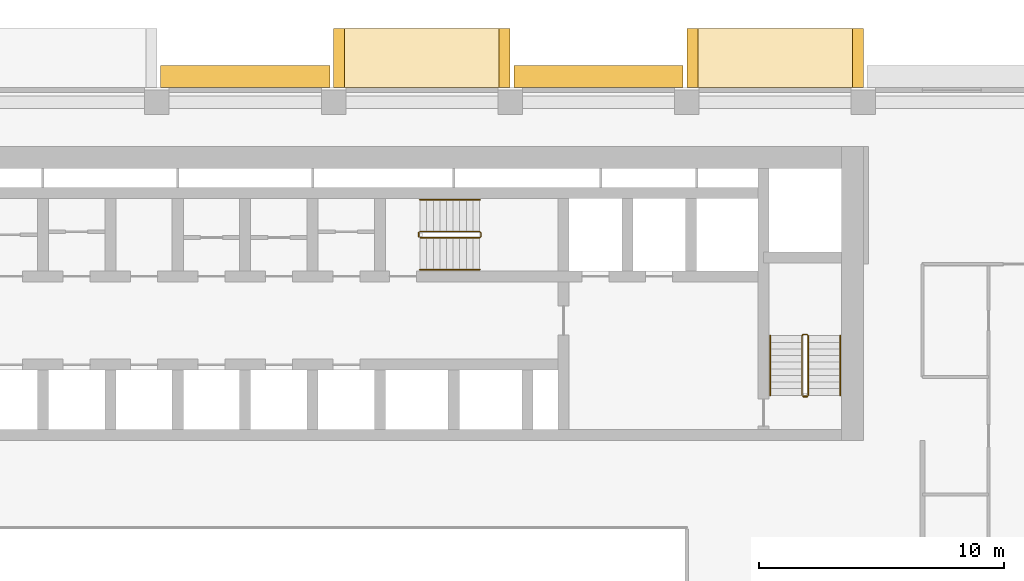
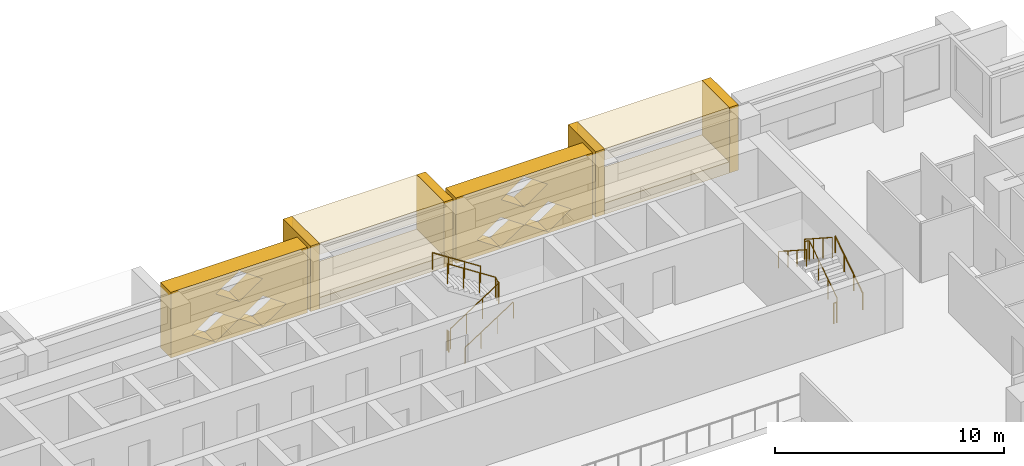
# One storey, part 15 of 16: 10 coverings, 8 railings.
"""IFC4 building model written with IfcOpenShell, lengths in metres."""

from ifc_helpers import new_model, si_unit, direction, frame, origin, origin_2d, place, context, subcontext, project, spatial, polyline, circle, outline, extrude, material, type_object, element, save


model = new_model("IFC4")

# Units and contexts
model_context = context("Model", 3, precision=1e-05, world=origin(), true_north=direction((0.0, 1.0)))
body_context = subcontext(model_context, "Body", "Model", "MODEL_VIEW")
ifc_project = project(units=[si_unit("LENGTHUNIT", "METRE"), si_unit("AREAUNIT", "SQUARE_METRE"), si_unit("VOLUMEUNIT", "CUBIC_METRE"), si_unit("PLANEANGLEUNIT", "RADIAN"), si_unit("MASSUNIT", "GRAM", prefix="KILO")], contexts=[model_context])

# Site, building, storey
site_placement = place(None, origin())
site = spatial("IfcSite", under=ifc_project, at=site_placement, CompositionType="ELEMENT")
building_placement = place(site_placement, origin())
building = spatial("IfcBuilding", under=site, at=building_placement, Name="Saffron Iwan Residences", CompositionType="ELEMENT")
storey_placement = place(building_placement, frame((0.0, 0.0, 83.0)))
storey = spatial("IfcBuildingStorey", under=building, at=storey_placement, Name="L21", CompositionType="ELEMENT", Elevation=83.0)

# Coverings
ifc_material_1 = material(Name="Precast concrete C40/50", Category="concrete")
covering_type_1 = type_object("IfcCoveringType", Name="OUTER SKIN LATTICE SCREEN", PredefinedType="CLADDING", material=ifc_material_1)
for number, where, z_axis, x_axis, name in (
    (1, (64.64990234375, 80.39990234375, -0.320068359375), (0.0, 1.0, 0.0), (-1.0, 0.0, 0.0), "OUTER SKIN lattice screen L21 F5.1"),
    (2, (50.25, 80.39990234375, -0.320068359375), (0.0, 1.0, 0.0), (-1.0, 0.0, 0.0), "OUTER SKIN lattice screen L21 F5.2"),
):
    element("IfcCovering", number, at=place(storey_placement, frame(where, z_axis=z_axis, x_axis=x_axis)), inside=storey, type_object=covering_type_1, Name=name, PredefinedType="CLADDING", context=body_context, shape_type="SweptSolid", body=[
        extrude(outline(polyline([(0.0, 0.0), (6.89990234375, 0.0), (6.89990234375, 3.5), (0.0, 3.5), (0.0, 0.0)]), holes=[polyline([(1.070068359375, 0.875), (2.25, 0.06005859375), (3.429931640625, 0.875), (2.25, 1.68994140625), (1.070068359375, 0.875)]), polyline([(3.469970703125, 0.875), (4.64990234375, 0.06005859375), (5.830078125, 0.875), (4.64990234375, 1.68994140625), (3.469970703125, 0.875)]), polyline([(2.27001953125, 2.625), (3.449951171875, 1.81005859375), (4.6298828125, 2.625), (3.449951171875, 3.43994140625), (2.27001953125, 2.625)])]), origin(), (0.0, 0.0, 1.0), 0.900146484375),
    ])

# Railings
ifc_material_2 = material(Name="Steel S355", Category="steel")
railing_type_1 = type_object("IfcRailingType", Name="Stair guard 1100", PredefinedType="GUARDRAIL", material=ifc_material_2)
railing_1_placement = place(storey_placement, frame((53.925048828125, 74.27490234375, 0.175048828125)))
element("IfcRailing", 3, at=railing_1_placement, inside=storey, type_object=railing_type_1, Name="L21 ST-C stair guard 1", PredefinedType="GUARDRAIL", context=body_context, shape_type="SweptSolid", body=[
    extrude(circle(Radius=0.02392578125, at=origin_2d()), frame((0.0, 0.0, 1.076171875), z_axis=(0.839153699163, 0.0, 0.543894354798), x_axis=(0.0, 1.0, 0.0)), (0.0, 0.0, 1.0), 2.895751953125),
    extrude(circle(Radius=0.02392578125, at=origin_2d()), frame((2.429931640625, 0.0, 2.65087890625), z_axis=(0.707106781187, 0.707106781187, 0.0), x_axis=(-0.707106781187, 0.707106781187, 0.0)), (0.0, 0.0, 1.0), 0.07080078125),
    extrude(circle(Radius=0.02392578125, at=origin_2d()), frame((2.47998046875, 0.050048828125, 2.65087890625), z_axis=(0.0, 1.0, 0.0), x_axis=(-1.0, 0.0, 0.0)), (0.0, 0.0, 1.0), 0.150146484375),
    extrude(circle(Radius=0.02392578125, at=origin_2d()), frame((2.47998046875, 0.2001953125, 2.65087890625), z_axis=(-0.265155923931, 0.263862480399, 0.927399011991), x_axis=(-0.705375805398, -0.708833529934, 0.0)), (0.0, 0.0, 1.0), 0.188720703125),
    extrude(circle(Radius=0.02392578125, at=origin_2d()), frame((2.429931640625, 0.25, 2.826171875), z_axis=(-0.839153699163, 0.0, 0.543894354798), x_axis=(0.0, -1.0, 0.0)), (0.0, 0.0, 1.0), 2.895751953125),
    extrude(circle(Radius=0.02099609375, at=origin_2d()), origin(), (0.0, 0.0, 1.0), 1.052001953125),
    extrude(circle(Radius=0.02099609375, at=origin_2d()), frame((0.81005859375, 0.0, 0.52490234375)), (0.0, 0.0, 1.0), 1.052001953125),
    extrude(circle(Radius=0.02099609375, at=origin_2d()), frame((1.619873046875, 0.0, 1.050048828125)), (0.0, 0.0, 1.0), 1.052001953125),
    extrude(circle(Radius=0.02099609375, at=origin_2d()), frame((2.429931640625, 0.0, 1.574951171875)), (0.0, 0.0, 1.0), 1.052001953125),
    extrude(circle(Radius=0.02099609375, at=origin_2d()), frame((2.47998046875, 0.050048828125, 1.574951171875)), (0.0, 0.0, 1.0), 1.052001953125),
    extrude(circle(Radius=0.02099609375, at=origin_2d()), frame((2.47998046875, 0.2001953125, 1.574951171875)), (0.0, 0.0, 1.0), 1.052001953125),
    extrude(circle(Radius=0.02099609375, at=origin_2d()), frame((2.429931640625, 0.25, 1.75)), (0.0, 0.0, 1.0), 1.052001953125),
    extrude(circle(Radius=0.02099609375, at=origin_2d()), frame((1.619873046875, 0.25, 2.27490234375)), (0.0, 0.0, 1.0), 1.052001953125),
    extrude(circle(Radius=0.02099609375, at=origin_2d()), frame((0.81005859375, 0.25, 2.800048828125)), (0.0, 0.0, 1.0), 1.052001953125),
    extrude(circle(Radius=0.02099609375, at=origin_2d()), frame((0.0, 0.25, 3.324951171875)), (0.0, 0.0, 1.0), 1.052001953125),
])
railing_2_placement = place(storey_placement, frame((53.875, 74.324951171875, 0.0)))
element("IfcRailing", 4, at=railing_2_placement, inside=storey, type_object=railing_type_1, Name="L21 ST-C stair guard 2", PredefinedType="GUARDRAIL", context=body_context, shape_type="SweptSolid", body=[
    extrude(circle(Radius=0.02392578125, at=origin_2d()), frame((0.0, 0.0, 1.076171875), z_axis=(0.0, 1.0, 0.0), x_axis=(-1.0, 0.0, 0.0)), (0.0, 0.0, 1.0), 0.150146484375),
    extrude(circle(Radius=0.02099609375, at=origin_2d()), origin(), (0.0, 0.0, 1.0), 1.052001953125),
    extrude(circle(Radius=0.02099609375, at=origin_2d()), frame((0.0, 0.150146484375, 0.0)), (0.0, 0.0, 1.0), 1.052001953125),
])
railing_3_placement = place(storey_placement, frame((69.75, 67.85009765625, 0.175048828125)))
element("IfcRailing", 5, at=railing_3_placement, inside=storey, type_object=railing_type_1, Name="L21 ST-E stair guard 1", PredefinedType="GUARDRAIL", context=body_context, shape_type="SweptSolid", body=[
    extrude(circle(Radius=0.02392578125, at=origin_2d()), frame((0.0, 0.0, 1.076171875), z_axis=(0.0, 0.839153699163, 0.543894354798), x_axis=(-1.0, 0.0, 0.0)), (0.0, 0.0, 1.0), 2.895751953125),
    extrude(circle(Radius=0.02392578125, at=origin_2d()), frame((0.0, 2.429931640625, 2.65087890625), z_axis=(-0.707106781187, 0.707106781187, 0.0), x_axis=(-0.707106781187, -0.707106781187, 0.0)), (0.0, 0.0, 1.0), 0.07080078125),
    extrude(circle(Radius=0.02392578125, at=origin_2d()), frame((-0.050048828125, 2.47998046875, 2.65087890625), z_axis=(-1.0, 0.0, 0.0), x_axis=(0.0, -1.0, 0.0)), (0.0, 0.0, 1.0), 0.14990234375),
    extrude(circle(Radius=0.02392578125, at=origin_2d()), frame((-0.199951171875, 2.47998046875, 2.65087890625), z_axis=(-0.265065253269, -0.265065253269, 0.927081885822), x_axis=(0.707106781187, -0.707106781187, 0.0)), (0.0, 0.0, 1.0), 0.188720703125),
    extrude(circle(Radius=0.02392578125, at=origin_2d()), frame((-0.25, 2.429931640625, 2.826171875), z_axis=(0.0, -0.839153699163, 0.543894354798), x_axis=(1.0, 0.0, 0.0)), (0.0, 0.0, 1.0), 2.895751953125),
    extrude(circle(Radius=0.02099609375, at=origin_2d()), origin(), (0.0, 0.0, 1.0), 1.052001953125),
    extrude(circle(Radius=0.02099609375, at=origin_2d()), frame((0.0, 0.81005859375, 0.52490234375)), (0.0, 0.0, 1.0), 1.052001953125),
    extrude(circle(Radius=0.02099609375, at=origin_2d()), frame((0.0, 1.619873046875, 1.050048828125)), (0.0, 0.0, 1.0), 1.052001953125),
    extrude(circle(Radius=0.02099609375, at=origin_2d()), frame((0.0, 2.429931640625, 1.574951171875)), (0.0, 0.0, 1.0), 1.052001953125),
    extrude(circle(Radius=0.02099609375, at=origin_2d()), frame((-0.050048828125, 2.47998046875, 1.574951171875)), (0.0, 0.0, 1.0), 1.052001953125),
    extrude(circle(Radius=0.02099609375, at=origin_2d()), frame((-0.199951171875, 2.47998046875, 1.574951171875)), (0.0, 0.0, 1.0), 1.052001953125),
    extrude(circle(Radius=0.02099609375, at=origin_2d()), frame((-0.25, 2.429931640625, 1.75)), (0.0, 0.0, 1.0), 1.052001953125),
    extrude(circle(Radius=0.02099609375, at=origin_2d()), frame((-0.25, 1.619873046875, 2.27490234375)), (0.0, 0.0, 1.0), 1.052001953125),
    extrude(circle(Radius=0.02099609375, at=origin_2d()), frame((-0.25, 0.81005859375, 2.800048828125)), (0.0, 0.0, 1.0), 1.052001953125),
    extrude(circle(Radius=0.02099609375, at=origin_2d()), frame((-0.25, 0.0, 3.324951171875)), (0.0, 0.0, 1.0), 1.052001953125),
])
railing_4_placement = place(storey_placement, frame((69.699951171875, 67.800048828125, 0.0)))
element("IfcRailing", 6, at=railing_4_placement, inside=storey, type_object=railing_type_1, Name="L21 ST-E stair guard 2", PredefinedType="GUARDRAIL", context=body_context, shape_type="SweptSolid", body=[
    extrude(circle(Radius=0.02392578125, at=origin_2d()), frame((0.0, 0.0, 1.076171875), z_axis=(-1.0, 0.0, 0.0), x_axis=(0.0, -1.0, 0.0)), (0.0, 0.0, 1.0), 0.14990234375),
    extrude(circle(Radius=0.02099609375, at=origin_2d()), origin(), (0.0, 0.0, 1.0), 1.052001953125),
    extrude(circle(Radius=0.02099609375, at=origin_2d()), frame((-0.14990234375, 0.0, 0.0)), (0.0, 0.0, 1.0), 1.052001953125),
])
ifc_material_3 = material(Name="Stainless steel 316", Category="steel")
railing_type_2 = type_object("IfcRailingType", Name="Stair handrail 900", PredefinedType="HANDRAIL", material=ifc_material_3)
railing_5_placement = place(storey_placement, frame((53.925048828125, 72.97509765625, 0.175048828125)))
element("IfcRailing", 7, at=railing_5_placement, inside=storey, type_object=railing_type_2, Name="L21 ST-C stair handrail 1", PredefinedType="HANDRAIL", context=body_context, shape_type="SweptSolid", body=[
    extrude(circle(Radius=0.02392578125, at=origin_2d()), frame((0.0, 0.0, 0.8759765625), z_axis=(0.839153699163, 0.0, 0.543894354798), x_axis=(0.0, 1.0, 0.0)), (0.0, 0.0, 1.0), 2.895751953125),
    extrude(circle(Radius=0.02099609375, at=origin_2d()), origin(), (0.0, 0.0, 1.0), 0.851806640625),
    extrude(circle(Radius=0.02099609375, at=origin_2d()), frame((0.81005859375, 0.0, 0.52490234375)), (0.0, 0.0, 1.0), 0.851806640625),
    extrude(circle(Radius=0.02099609375, at=origin_2d()), frame((1.619873046875, 0.0, 1.050048828125)), (0.0, 0.0, 1.0), 0.851806640625),
    extrude(circle(Radius=0.02099609375, at=origin_2d()), frame((2.429931640625, 0.0, 1.574951171875)), (0.0, 0.0, 1.0), 0.851806640625),
])
railing_6_placement = place(storey_placement, frame((56.35498046875, 75.824951171875, 1.925048828125)))
element("IfcRailing", 8, at=railing_6_placement, inside=storey, type_object=railing_type_2, Name="L21 ST-C stair handrail 2", PredefinedType="HANDRAIL", context=body_context, shape_type="SweptSolid", body=[
    extrude(circle(Radius=0.02392578125, at=origin_2d()), frame((0.0, 0.0, 0.8759765625), z_axis=(-0.839153699163, 0.0, 0.543894354798), x_axis=(0.0, -1.0, 0.0)), (0.0, 0.0, 1.0), 2.895751953125),
    extrude(circle(Radius=0.02099609375, at=origin_2d()), origin(), (0.0, 0.0, 1.0), 0.851806640625),
    extrude(circle(Radius=0.02099609375, at=origin_2d()), frame((-0.81005859375, 0.0, 0.52490234375)), (0.0, 0.0, 1.0), 0.851806640625),
    extrude(circle(Radius=0.02099609375, at=origin_2d()), frame((-1.619873046875, 0.0, 1.050048828125)), (0.0, 0.0, 1.0), 0.851806640625),
    extrude(circle(Radius=0.02099609375, at=origin_2d()), frame((-2.429931640625, 0.0, 1.574951171875)), (0.0, 0.0, 1.0), 0.851806640625),
])
railing_7_placement = place(storey_placement, frame((71.050048828125, 67.85009765625, 0.175048828125)))
element("IfcRailing", 9, at=railing_7_placement, inside=storey, type_object=railing_type_2, Name="L21 ST-E stair handrail 1", PredefinedType="HANDRAIL", context=body_context, shape_type="SweptSolid", body=[
    extrude(circle(Radius=0.02392578125, at=origin_2d()), frame((0.0, 0.0, 0.8759765625), z_axis=(0.0, 0.839153699163, 0.543894354798), x_axis=(-1.0, 0.0, 0.0)), (0.0, 0.0, 1.0), 2.895751953125),
    extrude(circle(Radius=0.02099609375, at=origin_2d()), origin(), (0.0, 0.0, 1.0), 0.851806640625),
    extrude(circle(Radius=0.02099609375, at=origin_2d()), frame((0.0, 0.81005859375, 0.52490234375)), (0.0, 0.0, 1.0), 0.851806640625),
    extrude(circle(Radius=0.02099609375, at=origin_2d()), frame((0.0, 1.619873046875, 1.050048828125)), (0.0, 0.0, 1.0), 0.851806640625),
    extrude(circle(Radius=0.02099609375, at=origin_2d()), frame((0.0, 2.429931640625, 1.574951171875)), (0.0, 0.0, 1.0), 0.851806640625),
])
railing_8_placement = place(storey_placement, frame((68.199951171875, 70.280029296875, 1.925048828125)))
element("IfcRailing", 10, at=railing_8_placement, inside=storey, type_object=railing_type_2, Name="L21 ST-E stair handrail 2", PredefinedType="HANDRAIL", context=body_context, shape_type="SweptSolid", body=[
    extrude(circle(Radius=0.02392578125, at=origin_2d()), frame((0.0, 0.0, 0.8759765625), z_axis=(0.0, -0.839153699163, 0.543894354798), x_axis=(1.0, 0.0, 0.0)), (0.0, 0.0, 1.0), 2.895751953125),
    extrude(circle(Radius=0.02099609375, at=origin_2d()), origin(), (0.0, 0.0, 1.0), 0.851806640625),
    extrude(circle(Radius=0.02099609375, at=origin_2d()), frame((0.0, -0.81005859375, 0.52490234375)), (0.0, 0.0, 1.0), 0.851806640625),
    extrude(circle(Radius=0.02099609375, at=origin_2d()), frame((0.0, -1.619873046875, 1.050048828125)), (0.0, 0.0, 1.0), 0.851806640625),
    extrude(circle(Radius=0.02099609375, at=origin_2d()), frame((0.0, -2.429931640625, 1.574951171875)), (0.0, 0.0, 1.0), 0.851806640625),
])

# Coverings
ifc_material_4 = material(Name="Precast concrete C40/50 white painted", Category="concrete")
covering_type_2 = type_object("IfcCoveringType", Name="WHITE SUN FRAME PRECAST", PredefinedType="CLADDING", material=ifc_material_4)
for number, where, z_axis, x_axis, name in (
    (11, (72.0, 80.39990234375, -0.320068359375), (0.0, 1.0, 0.0), (-1.0, 0.0, 0.0), "Sun frame L21 F5 10.8a"),
    (12, (65.25, 80.39990234375, -0.320068359375), (0.0, 1.0, 0.0), (-1.0, 0.0, 0.0), "Sun frame L21 F5 10.8b"),
):
    element("IfcCovering", number, at=place(storey_placement, frame(where, z_axis=z_axis, x_axis=x_axis)), inside=storey, type_object=covering_type_2, Name=name, PredefinedType="CLADDING", context=body_context, shape_type="SweptSolid", body=[
        extrude(outline(polyline([(0.0, 0.0), (0.449951171875, 0.0), (0.449951171875, 3.5), (0.0, 3.5), (0.0, 0.0)])), origin(), (0.0, 0.0, 1.0), 2.400146484375),
    ])
for number, where, z_axis, x_axis, name in (
    (13, (71.550048828125, 80.39990234375, 2.580078125), (0.0, 1.0, 0.0), (-1.0, 0.0, 0.0), "Sun frame L21 F5 10.8h"),
    (14, (71.550048828125, 80.39990234375, -0.320068359375), (0.0, 1.0, 0.0), (-1.0, 0.0, 0.0), "Sun frame L21 F5 10.8s"),
):
    element("IfcCovering", number, at=place(storey_placement, frame(where, z_axis=z_axis, x_axis=x_axis)), inside=storey, type_object=covering_type_2, Name=name, PredefinedType="CLADDING", context=body_context, shape_type="SweptSolid", body=[
        extrude(outline(polyline([(0.0, 0.0), (6.300048828125, 0.0), (6.300048828125, 0.60009765625), (0.0, 0.60009765625), (0.0, 0.0)])), origin(), (0.0, 0.0, 1.0), 2.400146484375),
    ])
for number, where, z_axis, x_axis, name in (
    (15, (57.60009765625, 80.39990234375, -0.320068359375), (0.0, 1.0, 0.0), (-1.0, 0.0, 0.0), "Sun frame L21 F5 25.2a"),
    (16, (50.85009765625, 80.39990234375, -0.320068359375), (0.0, 1.0, 0.0), (-1.0, 0.0, 0.0), "Sun frame L21 F5 25.2b"),
):
    element("IfcCovering", number, at=place(storey_placement, frame(where, z_axis=z_axis, x_axis=x_axis)), inside=storey, type_object=covering_type_2, Name=name, PredefinedType="CLADDING", context=body_context, shape_type="SweptSolid", body=[
        extrude(outline(polyline([(0.0, 0.0), (0.449951171875, 0.0), (0.449951171875, 3.5), (0.0, 3.5), (0.0, 0.0)])), origin(), (0.0, 0.0, 1.0), 2.400146484375),
    ])
for number, where, z_axis, x_axis, name in (
    (17, (57.14990234375, 80.39990234375, 2.580078125), (0.0, 1.0, 0.0), (-1.0, 0.0, 0.0), "Sun frame L21 F5 25.2h"),
    (18, (57.14990234375, 80.39990234375, -0.320068359375), (0.0, 1.0, 0.0), (-1.0, 0.0, 0.0), "Sun frame L21 F5 25.2s"),
):
    element("IfcCovering", number, at=place(storey_placement, frame(where, z_axis=z_axis, x_axis=x_axis)), inside=storey, type_object=covering_type_2, Name=name, PredefinedType="CLADDING", context=body_context, shape_type="SweptSolid", body=[
        extrude(outline(polyline([(0.0, 0.0), (6.300048828125, 0.0), (6.300048828125, 0.60009765625), (0.0, 0.60009765625), (0.0, 0.0)])), origin(), (0.0, 0.0, 1.0), 2.400146484375),
    ])

save(model, "model.ifc")
